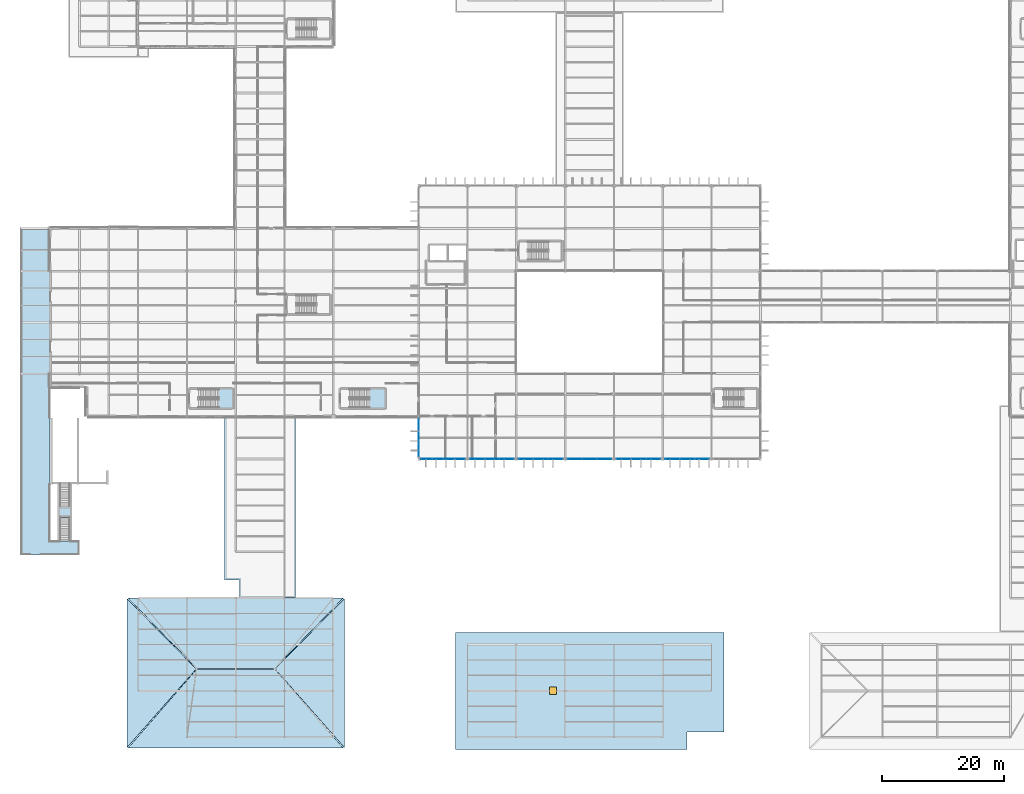
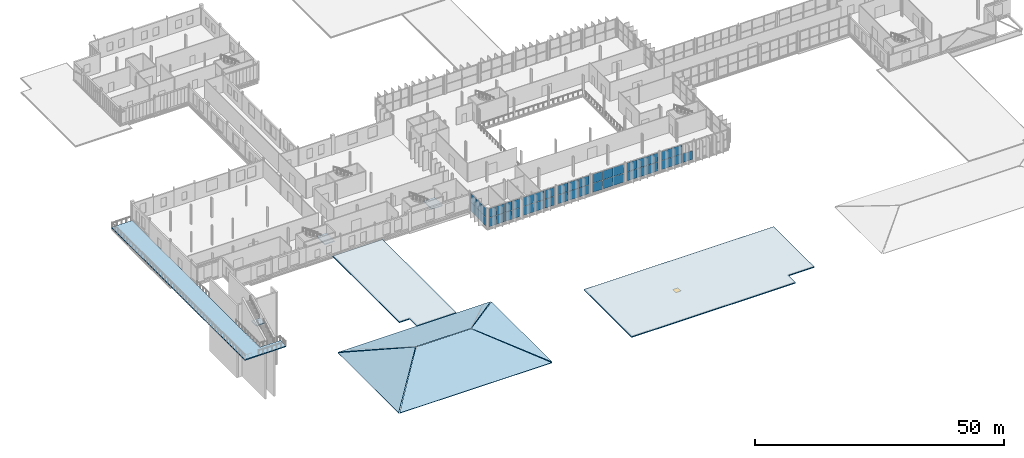
# One storey, part 80 of 120: 43 plates, 10 slabs, 1 window, 1 opening, 10 elements without a shape of their own.
"""IFC4 building model written with IfcOpenShell, lengths in metres."""

from ifc_helpers import new_model, si_unit, direction, frame, origin, origin_2d, place, context, subcontext, project, spatial, polyline, rectangle, outline, extrude, material, layer, layer_set, type_object, element, fill, aggregate, save


model = new_model("IFC4")

# Units and contexts
model_context = context("Model", 3, precision=1e-05, world=origin(), true_north=direction((0.0, 1.0)))
body_context = subcontext(model_context, "Body", "Model", "MODEL_VIEW")
ifc_project = project(units=[si_unit("LENGTHUNIT", "METRE"), si_unit("AREAUNIT", "SQUARE_METRE"), si_unit("VOLUMEUNIT", "CUBIC_METRE"), si_unit("PLANEANGLEUNIT", "RADIAN"), si_unit("MASSUNIT", "GRAM", prefix="KILO")], contexts=[model_context])

# Site, building, storey
site_placement = place(None, origin())
site = spatial("IfcSite", under=ifc_project, at=site_placement, CompositionType="ELEMENT")
building_placement = place(site_placement, origin())
building = spatial("IfcBuilding", under=site, at=building_placement, Name="Vekula Escarpment Museum", CompositionType="ELEMENT")
storey_placement = place(building_placement, frame((0.0, 0.0, 13.199951171875)))
storey = spatial("IfcBuildingStorey", under=building, at=storey_placement, Name="L03", CompositionType="ELEMENT", Elevation=13.199951171875)

# Curtain wall, plates
ifc_material_1 = material(Name="Aluminium thermally broken framing", Category="aluminium")
ifc_layer_1 = layer(ifc_material_1, 0.169921875)
ifc_layer_set_1 = layer_set([ifc_layer_1], Name="Aluminium thermally broken framing")
curtain_wall_type_1 = type_object("IfcCurtainWallType", Name="CW-SYS-10", PredefinedType="NOTDEFINED", material=ifc_layer_set_1)
curtain_wall_1_placement = place(storey_placement, origin())
curtain_wall_1 = element("IfcCurtainWall", 1, at=curtain_wall_1_placement, inside=storey, type_object=curtain_wall_type_1, Name="Curtain Wall CW-L03-100", PredefinedType="NOTDEFINED")
ifc_material_2 = material(Name="Double solar-control low-E glass", Category="glass")
ifc_layer_2 = layer(ifc_material_2, 0.028076171875)
ifc_layer_set_2 = layer_set([ifc_layer_2], Name="Double solar-control low-E glass")
plate_type_1 = type_object("IfcPlateType", Name="CW-PNL-28", PredefinedType="CURTAIN_PANEL", material=ifc_layer_set_2)
plate_1_placement = place(storey_placement, frame((70.0, 51.17822265625, 0.06005859375), z_axis=(0.0, 0.0, 1.0), x_axis=(0.0, -1.0, 0.0)))
plate_1 = element("IfcPlate", 2, at=plate_1_placement, type_object=plate_type_1, Name="CW-10 panel 1.1", PredefinedType="CURTAIN_PANEL", context=body_context, shape_type="SweptSolid", body=[
    extrude(rectangle(XDim=2.00341796875, YDim=0.028076171875, at=origin_2d()), origin(), (0.0, 0.0, 1.0), 2.18994140625),
])
plate_2_placement = place(storey_placement, frame((70.0, 51.17822265625, 2.31005859375), z_axis=(0.0, 0.0, 1.0), x_axis=(0.0, -1.0, 0.0)))
plate_2 = element("IfcPlate", 3, at=plate_2_placement, type_object=plate_type_1, Name="CW-10 panel 1.2", PredefinedType="CURTAIN_PANEL", context=body_context, shape_type="SweptSolid", body=[
    extrude(rectangle(XDim=2.00341796875, YDim=0.028076171875, at=origin_2d()), origin(), (0.0, 0.0, 1.0), 2.18994140625),
])
plate_3_placement = place(storey_placement, frame((70.0, 49.10009765625, 0.06005859375), z_axis=(0.0, 0.0, 1.0), x_axis=(0.0, -1.0, 0.0)))
plate_3 = element("IfcPlate", 4, at=plate_3_placement, type_object=plate_type_1, Name="CW-10 panel 2.1", PredefinedType="CURTAIN_PANEL", context=body_context, shape_type="SweptSolid", body=[
    extrude(rectangle(XDim=2.033447265625, YDim=0.028076171875, at=origin_2d()), origin(), (0.0, 0.0, 1.0), 2.18994140625),
])
plate_4_placement = place(storey_placement, frame((70.0, 49.10009765625, 2.31005859375), z_axis=(0.0, 0.0, 1.0), x_axis=(0.0, -1.0, 0.0)))
plate_4 = element("IfcPlate", 5, at=plate_4_placement, type_object=plate_type_1, Name="CW-10 panel 2.2", PredefinedType="CURTAIN_PANEL", context=body_context, shape_type="SweptSolid", body=[
    extrude(rectangle(XDim=2.033447265625, YDim=0.028076171875, at=origin_2d()), origin(), (0.0, 0.0, 1.0), 2.18994140625),
])
plate_5_placement = place(storey_placement, frame((70.0, 47.021728515625, 0.06005859375), z_axis=(0.0, 0.0, 1.0), x_axis=(0.0, -1.0, 0.0)))
plate_5 = element("IfcPlate", 6, at=plate_5_placement, type_object=plate_type_1, Name="CW-10 panel 3.1", PredefinedType="CURTAIN_PANEL", context=body_context, shape_type="SweptSolid", body=[
    extrude(rectangle(XDim=2.00341796875, YDim=0.028076171875, at=origin_2d()), origin(), (0.0, 0.0, 1.0), 2.18994140625),
])
plate_6_placement = place(storey_placement, frame((70.0, 47.021728515625, 2.31005859375), z_axis=(0.0, 0.0, 1.0), x_axis=(0.0, -1.0, 0.0)))
plate_6 = element("IfcPlate", 7, at=plate_6_placement, type_object=plate_type_1, Name="CW-10 panel 3.2", PredefinedType="CURTAIN_PANEL", context=body_context, shape_type="SweptSolid", body=[
    extrude(rectangle(XDim=2.00341796875, YDim=0.028076171875, at=origin_2d()), origin(), (0.0, 0.0, 1.0), 2.18994140625),
])
aggregate(curtain_wall_1, [plate_1, plate_2, plate_3, plate_4, plate_5, plate_6])

ifc_material_3 = material(Name="Aluminium thermally broken framing", Category="aluminium")
ifc_layer_3 = layer(ifc_material_3, 0.199951171875)
ifc_layer_set_3 = layer_set([ifc_layer_3], Name="Aluminium thermally broken framing")
curtain_wall_type_2 = type_object("IfcCurtainWallType", Name="CW-SYS-04", PredefinedType="NOTDEFINED", material=ifc_layer_set_3)
curtain_wall_2_placement = place(storey_placement, origin())
curtain_wall_2 = element("IfcCurtainWall", 8, at=curtain_wall_2_placement, inside=storey, type_object=curtain_wall_type_2, Name="Curtain Wall CW-L03-104", PredefinedType="NOTDEFINED")
plate_7_placement = place(storey_placement, frame((95.58837890625, 45.60009765625, 0.06005859375), z_axis=(0.0, 0.0, 1.0), x_axis=(1.0, 0.0, 0.0)))
plate_7 = element("IfcPlate", 9, at=plate_7_placement, type_object=plate_type_1, Name="CW-04 panel 1.1", PredefinedType="CURTAIN_PANEL", context=body_context, shape_type="SweptSolid", body=[
    extrude(rectangle(XDim=2.336669921875, YDim=0.028076171875, at=origin_2d()), origin(), (0.0, 0.0, 1.0), 2.18994140625),
])
plate_8_placement = place(storey_placement, frame((95.58837890625, 45.60009765625, 2.31005859375), z_axis=(0.0, 0.0, 1.0), x_axis=(1.0, 0.0, 0.0)))
plate_8 = element("IfcPlate", 10, at=plate_8_placement, type_object=plate_type_1, Name="CW-04 panel 1.2", PredefinedType="CURTAIN_PANEL", context=body_context, shape_type="SweptSolid", body=[
    extrude(rectangle(XDim=2.336669921875, YDim=0.028076171875, at=origin_2d()), origin(), (0.0, 0.0, 1.0), 2.18994140625),
])
plate_9_placement = place(storey_placement, frame((98.0, 45.60009765625, 0.06005859375), z_axis=(0.0, 0.0, 1.0), x_axis=(1.0, 0.0, 0.0)))
plate_9 = element("IfcPlate", 11, at=plate_9_placement, type_object=plate_type_1, Name="CW-04 panel 2.1", PredefinedType="CURTAIN_PANEL", context=body_context, shape_type="SweptSolid", body=[
    extrude(rectangle(XDim=2.36669921875, YDim=0.028076171875, at=origin_2d()), origin(), (0.0, 0.0, 1.0), 2.18994140625),
])
plate_10_placement = place(storey_placement, frame((98.0, 45.60009765625, 2.31005859375), z_axis=(0.0, 0.0, 1.0), x_axis=(1.0, 0.0, 0.0)))
plate_10 = element("IfcPlate", 12, at=plate_10_placement, type_object=plate_type_1, Name="CW-04 panel 2.2", PredefinedType="CURTAIN_PANEL", context=body_context, shape_type="SweptSolid", body=[
    extrude(rectangle(XDim=2.36669921875, YDim=0.028076171875, at=origin_2d()), origin(), (0.0, 0.0, 1.0), 2.18994140625),
])
plate_11_placement = place(storey_placement, frame((100.41162109375, 45.60009765625, 0.06005859375), z_axis=(0.0, 0.0, 1.0), x_axis=(1.0, 0.0, 0.0)))
plate_11 = element("IfcPlate", 13, at=plate_11_placement, type_object=plate_type_1, Name="CW-04 panel 3.1", PredefinedType="CURTAIN_PANEL", context=body_context, shape_type="SweptSolid", body=[
    extrude(rectangle(XDim=2.336669921875, YDim=0.028076171875, at=origin_2d()), origin(), (0.0, 0.0, 1.0), 2.18994140625),
])
plate_12_placement = place(storey_placement, frame((100.41162109375, 45.60009765625, 2.31005859375), z_axis=(0.0, 0.0, 1.0), x_axis=(1.0, 0.0, 0.0)))
plate_12 = element("IfcPlate", 14, at=plate_12_placement, type_object=plate_type_1, Name="CW-04 panel 3.2", PredefinedType="CURTAIN_PANEL", context=body_context, shape_type="SweptSolid", body=[
    extrude(rectangle(XDim=2.336669921875, YDim=0.028076171875, at=origin_2d()), origin(), (0.0, 0.0, 1.0), 2.18994140625),
])
aggregate(curtain_wall_2, [plate_7, plate_8, plate_9, plate_10, plate_11, plate_12])

ifc_material_4 = material(Name="Aluminium thermally broken framing", Category="aluminium")
ifc_layer_4 = layer(ifc_material_4, 0.159912109375)
ifc_layer_set_4 = layer_set([ifc_layer_4], Name="Aluminium thermally broken framing")
curtain_wall_type_3 = type_object("IfcCurtainWallType", Name="CW-SYS-01", PredefinedType="NOTDEFINED", material=ifc_layer_set_4)
curtain_wall_3_placement = place(storey_placement, origin())
curtain_wall_3 = element("IfcCurtainWall", 15, at=curtain_wall_3_placement, inside=storey, type_object=curtain_wall_type_3, Name="Curtain Wall CW-L03-101", PredefinedType="NOTDEFINED")
ifc_material_5 = material(Name="Acoustic laminated double low-E glass", Category="glass")
ifc_layer_5 = layer(ifc_material_5, 0.031982421875)
ifc_layer_set_5 = layer_set([ifc_layer_5], Name="Acoustic laminated double low-E glass")
plate_type_2 = type_object("IfcPlateType", Name="CW-PNL-32", PredefinedType="CURTAIN_PANEL", material=ifc_layer_set_5)
plate_13_placement = place(storey_placement, frame((71.284912109375, 45.60009765625, 0.06005859375), z_axis=(0.0, 0.0, 1.0), x_axis=(1.0, 0.0, 0.0)))
plate_13 = element("IfcPlate", 16, at=plate_13_placement, type_object=plate_type_2, Name="CW-01 panel 1.1", PredefinedType="CURTAIN_PANEL", context=body_context, shape_type="SweptSolid", body=[
    extrude(rectangle(XDim=1.72998046875, YDim=0.031982421875, at=origin_2d()), origin(), (0.0, 0.0, 1.0), 2.18994140625),
])
plate_14_placement = place(storey_placement, frame((71.284912109375, 45.60009765625, 2.31005859375), z_axis=(0.0, 0.0, 1.0), x_axis=(1.0, 0.0, 0.0)))
plate_14 = element("IfcPlate", 17, at=plate_14_placement, type_object=plate_type_2, Name="CW-01 panel 1.2", PredefinedType="CURTAIN_PANEL", context=body_context, shape_type="SweptSolid", body=[
    extrude(rectangle(XDim=1.72998046875, YDim=0.031982421875, at=origin_2d()), origin(), (0.0, 0.0, 1.0), 2.18994140625),
])
plate_15_placement = place(storey_placement, frame((73.090087890625, 45.60009765625, 0.06005859375), z_axis=(0.0, 0.0, 1.0), x_axis=(1.0, 0.0, 0.0)))
plate_15 = element("IfcPlate", 18, at=plate_15_placement, type_object=plate_type_2, Name="CW-01 panel 2.1", PredefinedType="CURTAIN_PANEL", context=body_context, shape_type="SweptSolid", body=[
    extrude(rectangle(XDim=1.760009765625, YDim=0.031982421875, at=origin_2d()), origin(), (0.0, 0.0, 1.0), 2.18994140625),
])
plate_16_placement = place(storey_placement, frame((73.090087890625, 45.60009765625, 2.31005859375), z_axis=(0.0, 0.0, 1.0), x_axis=(1.0, 0.0, 0.0)))
plate_16 = element("IfcPlate", 19, at=plate_16_placement, type_object=plate_type_2, Name="CW-01 panel 2.2", PredefinedType="CURTAIN_PANEL", context=body_context, shape_type="SweptSolid", body=[
    extrude(rectangle(XDim=1.760009765625, YDim=0.031982421875, at=origin_2d()), origin(), (0.0, 0.0, 1.0), 2.18994140625),
])
plate_17_placement = place(storey_placement, frame((74.909912109375, 45.60009765625, 0.06005859375), z_axis=(0.0, 0.0, 1.0), x_axis=(1.0, 0.0, 0.0)))
plate_17 = element("IfcPlate", 20, at=plate_17_placement, type_object=plate_type_2, Name="CW-01 panel 3.1", PredefinedType="CURTAIN_PANEL", context=body_context, shape_type="SweptSolid", body=[
    extrude(rectangle(XDim=1.760009765625, YDim=0.031982421875, at=origin_2d()), origin(), (0.0, 0.0, 1.0), 2.18994140625),
])
plate_18_placement = place(storey_placement, frame((74.909912109375, 45.60009765625, 2.31005859375), z_axis=(0.0, 0.0, 1.0), x_axis=(1.0, 0.0, 0.0)))
plate_18 = element("IfcPlate", 21, at=plate_18_placement, type_object=plate_type_2, Name="CW-01 panel 3.2", PredefinedType="CURTAIN_PANEL", context=body_context, shape_type="SweptSolid", body=[
    extrude(rectangle(XDim=1.760009765625, YDim=0.031982421875, at=origin_2d()), origin(), (0.0, 0.0, 1.0), 2.18994140625),
])
plate_19_placement = place(storey_placement, frame((76.715087890625, 45.60009765625, 0.06005859375), z_axis=(0.0, 0.0, 1.0), x_axis=(1.0, 0.0, 0.0)))
plate_19 = element("IfcPlate", 22, at=plate_19_placement, type_object=plate_type_2, Name="CW-01 panel 4.1", PredefinedType="CURTAIN_PANEL", context=body_context, shape_type="SweptSolid", body=[
    extrude(rectangle(XDim=1.72998046875, YDim=0.031982421875, at=origin_2d()), origin(), (0.0, 0.0, 1.0), 2.18994140625),
])
plate_20_placement = place(storey_placement, frame((76.715087890625, 45.60009765625, 2.31005859375), z_axis=(0.0, 0.0, 1.0), x_axis=(1.0, 0.0, 0.0)))
plate_20 = element("IfcPlate", 23, at=plate_20_placement, type_object=plate_type_2, Name="CW-01 panel 4.2", PredefinedType="CURTAIN_PANEL", context=body_context, shape_type="SweptSolid", body=[
    extrude(rectangle(XDim=1.72998046875, YDim=0.031982421875, at=origin_2d()), origin(), (0.0, 0.0, 1.0), 2.18994140625),
])
aggregate(curtain_wall_3, [plate_13, plate_14, plate_15, plate_16, plate_17, plate_18, plate_19, plate_20])

ifc_material_6 = material(Name="Aluminium thermally broken framing", Category="aluminium")
ifc_layer_6 = layer(ifc_material_6, 0.159912109375)
ifc_layer_set_6 = layer_set([ifc_layer_6], Name="Aluminium thermally broken framing")
curtain_wall_type_4 = type_object("IfcCurtainWallType", Name="CW-SYS-05", PredefinedType="NOTDEFINED", material=ifc_layer_set_6)
curtain_wall_4_placement = place(storey_placement, origin())
curtain_wall_4 = element("IfcCurtainWall", 24, at=curtain_wall_4_placement, inside=storey, type_object=curtain_wall_type_4, Name="Curtain Wall CW-L03-105", PredefinedType="NOTDEFINED")
plate_21_placement = place(storey_placement, frame((103.58837890625, 45.60009765625, 0.06005859375), z_axis=(0.0, 0.0, 1.0), x_axis=(1.0, 0.0, 0.0)))
plate_21 = element("IfcPlate", 25, at=plate_21_placement, type_object=plate_type_2, Name="CW-05 panel 1.1", PredefinedType="CURTAIN_PANEL", context=body_context, shape_type="SweptSolid", body=[
    extrude(rectangle(XDim=2.336669921875, YDim=0.031982421875, at=origin_2d()), origin(), (0.0, 0.0, 1.0), 2.18994140625),
])
plate_22_placement = place(storey_placement, frame((103.58837890625, 45.60009765625, 2.31005859375), z_axis=(0.0, 0.0, 1.0), x_axis=(1.0, 0.0, 0.0)))
plate_22 = element("IfcPlate", 26, at=plate_22_placement, type_object=plate_type_2, Name="CW-05 panel 1.2", PredefinedType="CURTAIN_PANEL", context=body_context, shape_type="SweptSolid", body=[
    extrude(rectangle(XDim=2.336669921875, YDim=0.031982421875, at=origin_2d()), origin(), (0.0, 0.0, 1.0), 2.18994140625),
])
plate_23_placement = place(storey_placement, frame((106.0, 45.60009765625, 0.06005859375), z_axis=(0.0, 0.0, 1.0), x_axis=(1.0, 0.0, 0.0)))
plate_23 = element("IfcPlate", 27, at=plate_23_placement, type_object=plate_type_2, Name="CW-05 panel 2.1", PredefinedType="CURTAIN_PANEL", context=body_context, shape_type="SweptSolid", body=[
    extrude(rectangle(XDim=2.36669921875, YDim=0.031982421875, at=origin_2d()), origin(), (0.0, 0.0, 1.0), 2.18994140625),
])
plate_24_placement = place(storey_placement, frame((106.0, 45.60009765625, 2.31005859375), z_axis=(0.0, 0.0, 1.0), x_axis=(1.0, 0.0, 0.0)))
plate_24 = element("IfcPlate", 28, at=plate_24_placement, type_object=plate_type_2, Name="CW-05 panel 2.2", PredefinedType="CURTAIN_PANEL", context=body_context, shape_type="SweptSolid", body=[
    extrude(rectangle(XDim=2.36669921875, YDim=0.031982421875, at=origin_2d()), origin(), (0.0, 0.0, 1.0), 2.18994140625),
])
plate_25_placement = place(storey_placement, frame((108.41162109375, 45.60009765625, 0.06005859375), z_axis=(0.0, 0.0, 1.0), x_axis=(1.0, 0.0, 0.0)))
plate_25 = element("IfcPlate", 29, at=plate_25_placement, type_object=plate_type_2, Name="CW-05 panel 3.1", PredefinedType="CURTAIN_PANEL", context=body_context, shape_type="SweptSolid", body=[
    extrude(rectangle(XDim=2.336669921875, YDim=0.031982421875, at=origin_2d()), origin(), (0.0, 0.0, 1.0), 2.18994140625),
])
plate_26_placement = place(storey_placement, frame((108.41162109375, 45.60009765625, 2.31005859375), z_axis=(0.0, 0.0, 1.0), x_axis=(1.0, 0.0, 0.0)))
plate_26 = element("IfcPlate", 30, at=plate_26_placement, type_object=plate_type_2, Name="CW-05 panel 3.2", PredefinedType="CURTAIN_PANEL", context=body_context, shape_type="SweptSolid", body=[
    extrude(rectangle(XDim=2.336669921875, YDim=0.031982421875, at=origin_2d()), origin(), (0.0, 0.0, 1.0), 2.18994140625),
])
aggregate(curtain_wall_4, [plate_21, plate_22, plate_23, plate_24, plate_25, plate_26])

ifc_material_7 = material(Name="Aluminium thermally broken framing", Category="aluminium")
ifc_layer_7 = layer(ifc_material_7, 0.159912109375)
ifc_layer_set_7 = layer_set([ifc_layer_7], Name="Aluminium thermally broken framing")
curtain_wall_type_5 = type_object("IfcCurtainWallType", Name="CW-SYS-02", PredefinedType="NOTDEFINED", material=ifc_layer_set_7)
curtain_wall_5_placement = place(storey_placement, origin())
curtain_wall_5 = element("IfcCurtainWall", 31, at=curtain_wall_5_placement, inside=storey, type_object=curtain_wall_type_5, Name="Curtain Wall CW-L03-102", PredefinedType="NOTDEFINED")
ifc_material_8 = material(Name="Triple UV-filtered museum gallery glass", Category="glass")
ifc_layer_8 = layer(ifc_material_8, 0.035888671875)
ifc_layer_set_8 = layer_set([ifc_layer_8], Name="Triple UV-filtered museum gallery glass")
plate_type_3 = type_object("IfcPlateType", Name="CW-PNL-36", PredefinedType="CURTAIN_PANEL", material=ifc_layer_set_8)
plate_27_placement = place(storey_placement, frame((79.58837890625, 45.60009765625, 0.06005859375), z_axis=(0.0, 0.0, 1.0), x_axis=(1.0, 0.0, 0.0)))
plate_27 = element("IfcPlate", 32, at=plate_27_placement, type_object=plate_type_3, Name="CW-02 panel 1.1", PredefinedType="CURTAIN_PANEL", context=body_context, shape_type="SweptSolid", body=[
    extrude(rectangle(XDim=2.336669921875, YDim=0.035888671875, at=origin_2d()), origin(), (0.0, 0.0, 1.0), 2.18994140625),
])
plate_28_placement = place(storey_placement, frame((79.58837890625, 45.60009765625, 2.31005859375), z_axis=(0.0, 0.0, 1.0), x_axis=(1.0, 0.0, 0.0)))
plate_28 = element("IfcPlate", 33, at=plate_28_placement, type_object=plate_type_3, Name="CW-02 panel 1.2", PredefinedType="CURTAIN_PANEL", context=body_context, shape_type="SweptSolid", body=[
    extrude(rectangle(XDim=2.336669921875, YDim=0.035888671875, at=origin_2d()), origin(), (0.0, 0.0, 1.0), 2.18994140625),
])
plate_29_placement = place(storey_placement, frame((82.0, 45.60009765625, 0.06005859375), z_axis=(0.0, 0.0, 1.0), x_axis=(1.0, 0.0, 0.0)))
plate_29 = element("IfcPlate", 34, at=plate_29_placement, type_object=plate_type_3, Name="CW-02 panel 2.1", PredefinedType="CURTAIN_PANEL", context=body_context, shape_type="SweptSolid", body=[
    extrude(rectangle(XDim=2.36669921875, YDim=0.035888671875, at=origin_2d()), origin(), (0.0, 0.0, 1.0), 2.18994140625),
])
plate_30_placement = place(storey_placement, frame((82.0, 45.60009765625, 2.31005859375), z_axis=(0.0, 0.0, 1.0), x_axis=(1.0, 0.0, 0.0)))
plate_30 = element("IfcPlate", 35, at=plate_30_placement, type_object=plate_type_3, Name="CW-02 panel 2.2", PredefinedType="CURTAIN_PANEL", context=body_context, shape_type="SweptSolid", body=[
    extrude(rectangle(XDim=2.36669921875, YDim=0.035888671875, at=origin_2d()), origin(), (0.0, 0.0, 1.0), 2.18994140625),
])
plate_31_placement = place(storey_placement, frame((84.41162109375, 45.60009765625, 0.06005859375), z_axis=(0.0, 0.0, 1.0), x_axis=(1.0, 0.0, 0.0)))
plate_31 = element("IfcPlate", 36, at=plate_31_placement, type_object=plate_type_3, Name="CW-02 panel 3.1", PredefinedType="CURTAIN_PANEL", context=body_context, shape_type="SweptSolid", body=[
    extrude(rectangle(XDim=2.336669921875, YDim=0.035888671875, at=origin_2d()), origin(), (0.0, 0.0, 1.0), 2.18994140625),
])
plate_32_placement = place(storey_placement, frame((84.41162109375, 45.60009765625, 2.31005859375), z_axis=(0.0, 0.0, 1.0), x_axis=(1.0, 0.0, 0.0)))
plate_32 = element("IfcPlate", 37, at=plate_32_placement, type_object=plate_type_3, Name="CW-02 panel 3.2", PredefinedType="CURTAIN_PANEL", context=body_context, shape_type="SweptSolid", body=[
    extrude(rectangle(XDim=2.336669921875, YDim=0.035888671875, at=origin_2d()), origin(), (0.0, 0.0, 1.0), 2.18994140625),
])
aggregate(curtain_wall_5, [plate_27, plate_28, plate_29, plate_30, plate_31, plate_32])

ifc_material_9 = material(Name="Aluminium thermally broken framing", Category="aluminium")
ifc_layer_9 = layer(ifc_material_9, 0.139892578125)
ifc_layer_set_9 = layer_set([ifc_layer_9], Name="Aluminium thermally broken framing")
curtain_wall_type_6 = type_object("IfcCurtainWallType", Name="CW-SYS-06", PredefinedType="NOTDEFINED", material=ifc_layer_set_9)
curtain_wall_6_placement = place(storey_placement, origin())
curtain_wall_6 = element("IfcCurtainWall", 38, at=curtain_wall_6_placement, inside=storey, type_object=curtain_wall_type_6, Name="Curtain Wall CW-L03-106", PredefinedType="NOTDEFINED")
plate_33_placement = place(storey_placement, frame((111.58837890625, 45.60009765625, 0.06005859375), z_axis=(0.0, 0.0, 1.0), x_axis=(1.0, 0.0, 0.0)))
plate_33 = element("IfcPlate", 39, at=plate_33_placement, type_object=plate_type_3, Name="CW-06 panel 1.1", PredefinedType="CURTAIN_PANEL", context=body_context, shape_type="SweptSolid", body=[
    extrude(rectangle(XDim=2.336669921875, YDim=0.035888671875, at=origin_2d()), origin(), (0.0, 0.0, 1.0), 2.18994140625),
])
plate_34_placement = place(storey_placement, frame((111.58837890625, 45.60009765625, 2.31005859375), z_axis=(0.0, 0.0, 1.0), x_axis=(1.0, 0.0, 0.0)))
plate_34 = element("IfcPlate", 40, at=plate_34_placement, type_object=plate_type_3, Name="CW-06 panel 1.2", PredefinedType="CURTAIN_PANEL", context=body_context, shape_type="SweptSolid", body=[
    extrude(rectangle(XDim=2.336669921875, YDim=0.035888671875, at=origin_2d()), origin(), (0.0, 0.0, 1.0), 2.18994140625),
])
plate_35_placement = place(storey_placement, frame((114.0, 45.60009765625, 0.06005859375), z_axis=(0.0, 0.0, 1.0), x_axis=(1.0, 0.0, 0.0)))
plate_35 = element("IfcPlate", 41, at=plate_35_placement, type_object=plate_type_3, Name="CW-06 panel 2.1", PredefinedType="CURTAIN_PANEL", context=body_context, shape_type="SweptSolid", body=[
    extrude(rectangle(XDim=2.36669921875, YDim=0.035888671875, at=origin_2d()), origin(), (0.0, 0.0, 1.0), 2.18994140625),
])
plate_36_placement = place(storey_placement, frame((114.0, 45.60009765625, 2.31005859375), z_axis=(0.0, 0.0, 1.0), x_axis=(1.0, 0.0, 0.0)))
plate_36 = element("IfcPlate", 42, at=plate_36_placement, type_object=plate_type_3, Name="CW-06 panel 2.2", PredefinedType="CURTAIN_PANEL", context=body_context, shape_type="SweptSolid", body=[
    extrude(rectangle(XDim=2.36669921875, YDim=0.035888671875, at=origin_2d()), origin(), (0.0, 0.0, 1.0), 2.18994140625),
])
plate_37_placement = place(storey_placement, frame((116.41162109375, 45.60009765625, 0.06005859375), z_axis=(0.0, 0.0, 1.0), x_axis=(1.0, 0.0, 0.0)))
plate_37 = element("IfcPlate", 43, at=plate_37_placement, type_object=plate_type_3, Name="CW-06 panel 3.1", PredefinedType="CURTAIN_PANEL", context=body_context, shape_type="SweptSolid", body=[
    extrude(rectangle(XDim=2.336669921875, YDim=0.035888671875, at=origin_2d()), origin(), (0.0, 0.0, 1.0), 2.18994140625),
])
aggregate(curtain_wall_6, [plate_33, plate_34, plate_35, plate_36, plate_37])

ifc_material_10 = material(Name="Aluminium thermally broken framing", Category="aluminium")
ifc_layer_10 = layer(ifc_material_10, 0.199951171875)
ifc_layer_set_10 = layer_set([ifc_layer_10], Name="Aluminium thermally broken framing")
curtain_wall_type_7 = type_object("IfcCurtainWallType", Name="CW-SYS-03", PredefinedType="NOTDEFINED", material=ifc_layer_set_10)
curtain_wall_7_placement = place(storey_placement, origin())
curtain_wall_7 = element("IfcCurtainWall", 44, at=curtain_wall_7_placement, inside=storey, type_object=curtain_wall_type_7, Name="Curtain Wall CW-L03-103", PredefinedType="NOTDEFINED")
ifc_material_11 = material(Name="Insulated bronze spandrel glass panel", Category="glass")
ifc_layer_11 = layer(ifc_material_11, 0.0400390625)
ifc_layer_set_11 = layer_set([ifc_layer_11], Name="Insulated bronze spandrel glass panel")
plate_type_4 = type_object("IfcPlateType", Name="CW-PNL-40", PredefinedType="CURTAIN_PANEL", material=ifc_layer_set_11)
plate_38_placement = place(storey_placement, frame((87.58837890625, 45.60009765625, 0.06005859375), z_axis=(0.0, 0.0, 1.0), x_axis=(1.0, 0.0, 0.0)))
plate_38 = element("IfcPlate", 45, at=plate_38_placement, type_object=plate_type_4, Name="CW-03 panel 1.1", PredefinedType="CURTAIN_PANEL", context=body_context, shape_type="SweptSolid", body=[
    extrude(rectangle(XDim=2.336669921875, YDim=0.0400390625, at=origin_2d()), origin(), (0.0, 0.0, 1.0), 2.18994140625),
])
plate_39_placement = place(storey_placement, frame((87.58837890625, 45.60009765625, 2.31005859375), z_axis=(0.0, 0.0, 1.0), x_axis=(1.0, 0.0, 0.0)))
plate_39 = element("IfcPlate", 46, at=plate_39_placement, type_object=plate_type_4, Name="CW-03 panel 1.2", PredefinedType="CURTAIN_PANEL", context=body_context, shape_type="SweptSolid", body=[
    extrude(rectangle(XDim=2.336669921875, YDim=0.0400390625, at=origin_2d()), origin(), (0.0, 0.0, 1.0), 2.18994140625),
])
plate_40_placement = place(storey_placement, frame((90.0, 45.60009765625, 0.06005859375), z_axis=(0.0, 0.0, 1.0), x_axis=(1.0, 0.0, 0.0)))
plate_40 = element("IfcPlate", 47, at=plate_40_placement, type_object=plate_type_4, Name="CW-03 panel 2.1", PredefinedType="CURTAIN_PANEL", context=body_context, shape_type="SweptSolid", body=[
    extrude(rectangle(XDim=2.36669921875, YDim=0.0400390625, at=origin_2d()), origin(), (0.0, 0.0, 1.0), 2.18994140625),
])
plate_41_placement = place(storey_placement, frame((90.0, 45.60009765625, 2.31005859375), z_axis=(0.0, 0.0, 1.0), x_axis=(1.0, 0.0, 0.0)))
plate_41 = element("IfcPlate", 48, at=plate_41_placement, type_object=plate_type_4, Name="CW-03 panel 2.2", PredefinedType="CURTAIN_PANEL", context=body_context, shape_type="SweptSolid", body=[
    extrude(rectangle(XDim=2.36669921875, YDim=0.0400390625, at=origin_2d()), origin(), (0.0, 0.0, 1.0), 2.18994140625),
])
plate_42_placement = place(storey_placement, frame((92.41162109375, 45.60009765625, 0.06005859375), z_axis=(0.0, 0.0, 1.0), x_axis=(1.0, 0.0, 0.0)))
plate_42 = element("IfcPlate", 49, at=plate_42_placement, type_object=plate_type_4, Name="CW-03 panel 3.1", PredefinedType="CURTAIN_PANEL", context=body_context, shape_type="SweptSolid", body=[
    extrude(rectangle(XDim=2.336669921875, YDim=0.0400390625, at=origin_2d()), origin(), (0.0, 0.0, 1.0), 2.18994140625),
])
plate_43_placement = place(storey_placement, frame((92.41162109375, 45.60009765625, 2.31005859375), z_axis=(0.0, 0.0, 1.0), x_axis=(1.0, 0.0, 0.0)))
plate_43 = element("IfcPlate", 50, at=plate_43_placement, type_object=plate_type_4, Name="CW-03 panel 3.2", PredefinedType="CURTAIN_PANEL", context=body_context, shape_type="SweptSolid", body=[
    extrude(rectangle(XDim=2.336669921875, YDim=0.0400390625, at=origin_2d()), origin(), (0.0, 0.0, 1.0), 2.18994140625),
])
aggregate(curtain_wall_7, [plate_38, plate_39, plate_40, plate_41, plate_42, plate_43])

# Slabs
ifc_material_12 = material(Name="Concrete C35/45", Category="concrete")
ifc_layer_12 = layer(ifc_material_12, 0.159912109375)
ifc_layer_set_12 = layer_set([ifc_layer_12], Name="Concrete C35/45")
slab_type_1 = type_object("IfcSlabType", Name="SL-HIP-160", PredefinedType="ROOF", material=ifc_layer_set_12)
slab_1_placement = place(storey_placement, frame((22.340087890625, -1.800048828125, 0.0), z_axis=(0.0, -0.321939880284, 0.946760114011), x_axis=(1.0, 0.0, 0.0)))
element("IfcSlab", 51, at=slab_1_placement, inside=storey, type_object=slab_type_1, Name="Auditorium Copper Hipped Roof South", PredefinedType="ROOF", context=body_context, shape_type="SweptSolid", body=[
    extrude(outline(polyline([(0.0, 0.0), (35.31982421875, 0.0), (24.059814453125, 13.667603033492775), (11.260009765625, 13.667603033492775), (0.0, 0.0)])), origin(), (0.0, 0.0, -1.0), 0.159912109375),
])
slab_2_placement = place(storey_placement, frame((57.659912109375, 22.840087890625, 0.0), z_axis=(0.0, 0.355197783863, 0.934791171513), x_axis=(-1.0, 0.0, 0.0)))
element("IfcSlab", 52, at=slab_2_placement, inside=storey, type_object=slab_type_1, Name="Auditorium Copper Hipped Roof North", PredefinedType="ROOF", context=body_context, shape_type="SweptSolid", body=[
    extrude(outline(polyline([(0.0, 0.0), (35.31982421875, 0.0), (24.059814453125, 12.387877076604415), (11.260009765625, 12.387877076604415), (0.0, 0.0)])), origin(), (0.0, 0.0, -1.0), 0.159912109375),
])
slab_3_placement = place(storey_placement, frame((22.199951171875, 22.699951171875, 0.0), z_axis=(-0.361740066047, 0.0, 0.932278995052), x_axis=(0.0, -1.0, 0.0)))
element("IfcSlab", 53, at=slab_3_placement, inside=storey, type_object=slab_type_1, Name="Auditorium Copper Hipped Roof West", PredefinedType="ROOF", context=body_context, shape_type="SweptSolid", body=[
    extrude(outline(polyline([(0.0, 0.0), (24.35986328125, 0.0), (11.5, 12.163835022354482), (0.0, 0.0)])), origin(), (0.0, 0.0, -1.0), 0.159912109375),
])
slab_4_placement = place(storey_placement, frame((57.800048828125, -1.659912109375, 0.0), z_axis=(0.361740066047, 0.0, 0.932278995052), x_axis=(0.0, 1.0, 0.0)))
element("IfcSlab", 54, at=slab_4_placement, inside=storey, type_object=slab_type_1, Name="Auditorium Copper Hipped Roof East", PredefinedType="ROOF", context=body_context, shape_type="SweptSolid", body=[
    extrude(outline(polyline([(0.0, 0.0), (24.35986328125, 0.0), (12.85986328125, 12.163835022354482), (0.0, 0.0)])), origin(), (0.0, 0.0, -1.0), 0.159912109375),
])

# Stair, slab
ifc_material_13 = material(Name="Precast concrete C40/50", Category="concrete")
stair_type_1 = type_object("IfcStairType", Name="STR-AMP-165", PredefinedType="STRAIGHT_RUN_STAIR", material=ifc_material_13)
stair_1_placement = place(storey_placement, origin())
stair_1 = element("IfcStair", 55, at=stair_1_placement, inside=storey, type_object=stair_type_1, Name="South Escarpment Plinth Stair Tier 3 ST-AMP-S3", PredefinedType="STRAIGHT_RUN_STAIR")
ifc_material_14 = material(Name="Concrete C35/45", Category="concrete")
ifc_layer_13 = layer(ifc_material_14, 0.199951171875)
ifc_layer_set_13 = layer_set([ifc_layer_13], Name="Concrete C35/45")
slab_type_2 = type_object("IfcSlabType", Name="SL-LAND-200", PredefinedType="LANDING", material=ifc_layer_set_13)
slab_5_placement = place(storey_placement, frame((0.0, 0.0, 2.2890625)))
slab_5 = element("IfcSlab", 56, at=slab_5_placement, type_object=slab_type_2, Name="ST-AMP-S3 landing 1", PredefinedType="LANDING", context=body_context, shape_type="SweptSolid", body=[
    extrude(outline(polyline([(10.949951171875, 36.010009765625), (13.050048828125, 36.010009765625), (13.050048828125, 37.93994140625), (10.949951171875, 37.93994140625), (10.949951171875, 36.010009765625)])), origin(), (0.0, 0.0, 1.0), 0.199951171875),
])
aggregate(stair_1, [slab_5])

ifc_material_15 = material(Name="Concrete C35/45", Category="concrete")
stair_type_2 = type_object("IfcStairType", Name="STR-TYPE-142", PredefinedType="HALF_TURN_STAIR", material=ifc_material_15)
stair_2_placement = place(storey_placement, origin())
stair_2 = element("IfcStair", 57, at=stair_2_placement, inside=storey, type_object=stair_type_2, Name="L03 Central West Exit Stair ST-01", PredefinedType="HALF_TURN_STAIR")
slab_6_placement = place(storey_placement, frame((0.0, 0.0, 2.199951171875)))
slab_6 = element("IfcSlab", 58, at=slab_6_placement, type_object=slab_type_2, Name="ST-01 landing 1", PredefinedType="LANDING", context=body_context, shape_type="SweptSolid", body=[
    extrude(outline(polyline([(61.889892578125, 53.909912109375), (64.489990234375, 53.909912109375), (64.489990234375, 57.1298828125), (61.889892578125, 57.1298828125), (61.889892578125, 53.909912109375)])), origin(), (0.0, 0.0, 1.0), 0.2001953125),
])
aggregate(stair_2, [slab_6])

stair_3_placement = place(storey_placement, origin())
stair_3 = element("IfcStair", 59, at=stair_3_placement, inside=storey, type_object=stair_type_2, Name="L03 Plinth West Exit Stair ST-04", PredefinedType="HALF_TURN_STAIR")
slab_7_placement = place(storey_placement, frame((0.0, 0.0, 2.199951171875)))
slab_7 = element("IfcSlab", 60, at=slab_7_placement, type_object=slab_type_2, Name="ST-04 landing 1", PredefinedType="LANDING", context=body_context, shape_type="SweptSolid", body=[
    extrude(outline(polyline([(37.18994140625, 53.909912109375), (39.489990234375, 53.909912109375), (39.489990234375, 57.1298828125), (37.18994140625, 57.1298828125), (37.18994140625, 53.909912109375)])), origin(), (0.0, 0.0, 1.0), 0.2001953125),
])
aggregate(stair_3, [slab_7])

# Slab, opening, window
ifc_material_16 = material(Name="Concrete C35/45", Category="concrete")
ifc_layer_14 = layer(ifc_material_16, 0.199951171875)
ifc_layer_set_14 = layer_set([ifc_layer_14], Name="Concrete C35/45")
slab_type_3 = type_object("IfcSlabType", Name="SL-ROOF-200", PredefinedType="ROOF", material=ifc_layer_set_14)
slab_8_placement = place(storey_placement, frame((0.0, 0.0, -0.199951171875)))
slab_8 = element("IfcSlab", 61, at=slab_8_placement, inside=storey, type_object=slab_type_3, Name="Overhanging Eave Roof Slab R-L03-V2S", PredefinedType="ROOF", context=body_context, shape_type="SweptSolid", body=[
    extrude(outline(polyline([(76.0, 17.199951171875), (120.0, 17.199951171875), (120.0, 0.887939453125), (114.0, 0.887939453125), (114.0, -2.0), (76.0, -2.0), (76.0, 17.199951171875)])), origin(), (0.0, 0.0, 1.0), 0.199951171875),
])
opening_placement = place(slab_8_placement, frame((92.0, 7.60009765625, -0.010009765625)))
opening = element("IfcOpeningElement", 62, at=opening_placement, cuts=slab_8, Name="Opening RH-01", PredefinedType="OPENING", context=body_context, shape_type="SweptSolid", body=[
    extrude(rectangle(XDim=1.199951171875, YDim=1.199951171875, at=origin_2d()), origin(), (0.0, 0.0, 1.0), 0.219970703125),
])
ifc_material_17 = material(Name="Double solar-control low-E glass", Category="glass")
window_type = type_object("IfcWindowType", Name="SK-HATCH-12x12", PartitioningType="SINGLE_PANEL", PredefinedType="SKYLIGHT", material=ifc_material_17)
window_placement = place(opening_placement, frame((0.0, 0.0, 0.14990234375)))
window = element("IfcWindow", 63, at=window_placement, inside=storey, type_object=window_type, Name="Roof Access Hatch RH-02", OverallHeight=1.199951171875, OverallWidth=1.199951171875, PartitioningType="SINGLE_PANEL", PredefinedType="SKYLIGHT", context=body_context, shape_type="SweptSolid", body=[
    extrude(rectangle(XDim=1.199951171875, YDim=1.199951171875, at=origin_2d()), origin(), (0.0, 0.0, 1.0), 0.050048828125),
])
fill(opening, window)

# Slabs
slab_9_placement = place(storey_placement, frame((0.0, 0.0, -0.199951171875)))
element("IfcSlab", 64, at=slab_9_placement, inside=storey, type_object=slab_type_3, Name="Overhanging Eave Roof Slab R-L03-SLK4", PredefinedType="ROOF", context=body_context, shape_type="SweptSolid", body=[
    extrude(outline(polyline([(40.60009765625, 25.800048828125), (38.199951171875, 25.800048828125), (38.199951171875, 52.570068359375), (49.800048828125, 52.570068359375), (49.800048828125, 22.8798828125), (40.60009765625, 22.8798828125), (40.60009765625, 25.800048828125)])), origin(), (0.0, 0.0, 1.0), 0.199951171875),
])
ifc_material_18 = material(Name="Precast concrete C40/50", Category="concrete")
ifc_layer_15 = layer(ifc_material_18, 0.219970703125)
ifc_layer_set_15 = layer_set([ifc_layer_15], Name="Precast concrete C40/50")
slab_type_4 = type_object("IfcSlabType", Name="SL-TER-220", PredefinedType="FLOOR", material=ifc_layer_set_15)
slab_10_placement = place(storey_placement, frame((0.0, 0.0, -0.219970703125)))
element("IfcSlab", 65, at=slab_10_placement, inside=storey, type_object=slab_type_4, Name="Walkable Terrace Slab T-L03-STEP2", PredefinedType="FLOOR", context=body_context, shape_type="SweptSolid", body=[
    extrude(outline(polyline([(4.800048828125, 29.909912109375), (14.3798828125, 29.909912109375), (14.3798828125, 32.18994140625), (9.580078125, 32.18994140625), (9.580078125, 83.39990234375), (4.800048828125, 83.39990234375), (4.800048828125, 29.909912109375)])), origin(), (0.0, 0.0, 1.0), 0.219970703125),
])

save(model, "model.ifc")
